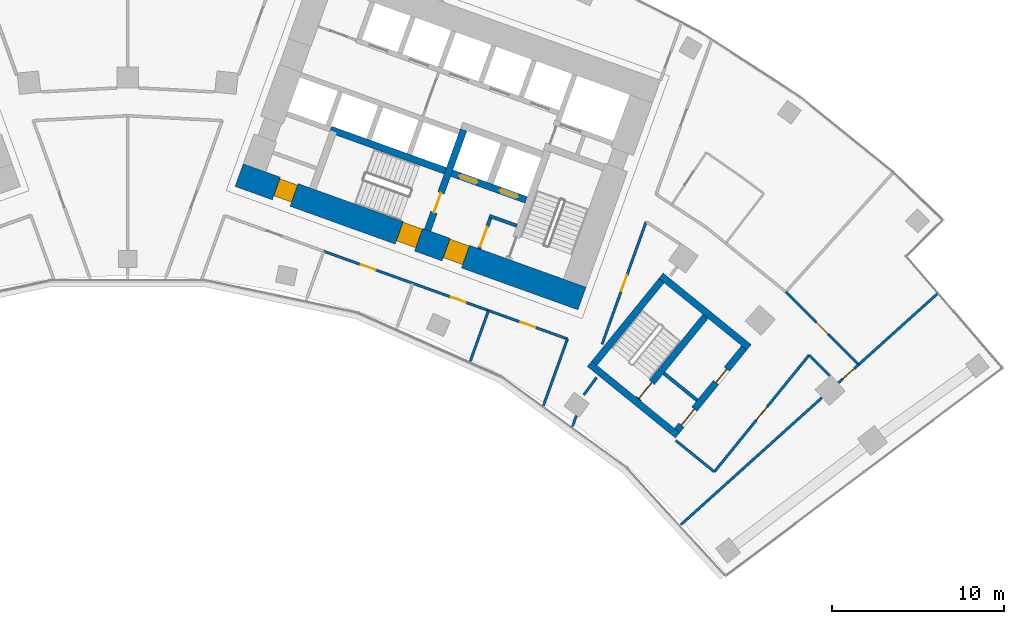
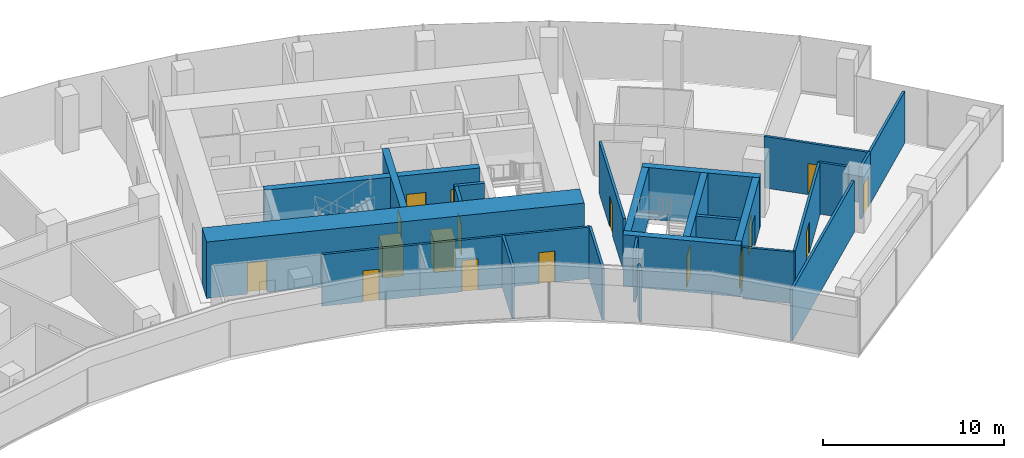
# One storey, part 16 of 20: 26 walls, 17 doors, 17 openings.
"""IFC4 building model written with IfcOpenShell, lengths in metres."""

from ifc_helpers import new_model, si_unit, direction, frame, frame_2d, origin, place, context, subcontext, project, spatial, rectangle, extrude, material, layer, layer_set, type_object, element, fill, save


model = new_model("IFC4")

# Units and contexts
model_context = context("Model", 3, precision=1e-05, world=origin(), true_north=direction((0.0, 1.0)))
body_context = subcontext(model_context, "Body", "Model", "MODEL_VIEW")
ifc_project = project(units=[si_unit("LENGTHUNIT", "METRE"), si_unit("AREAUNIT", "SQUARE_METRE"), si_unit("VOLUMEUNIT", "CUBIC_METRE"), si_unit("PLANEANGLEUNIT", "RADIAN"), si_unit("MASSUNIT", "GRAM", prefix="KILO")], contexts=[model_context])

# Site, building, storey
site_placement = place(None, origin())
site = spatial("IfcSite", under=ifc_project, at=site_placement, CompositionType="ELEMENT")
building_placement = place(site_placement, origin())
building = spatial("IfcBuilding", under=site, at=building_placement, Name="Stone Belt Terrace Tower", CompositionType="ELEMENT")
storey_placement = place(building_placement, frame((0.0, 0.0, 147.800048828125)))
storey = spatial("IfcBuildingStorey", under=building, at=storey_placement, Name="L35", CompositionType="ELEMENT", Elevation=147.800048828125)

# Wall, openings, doors
ifc_material_1 = material(Name="Concrete B80", Category="concrete")
ifc_layer_1 = layer(ifc_material_1, 1.39990234375)
ifc_layer_set_1 = layer_set([ifc_layer_1], Name="Core wall 1400 B80")
wall_type_1 = type_object("IfcWallType", Name="Core wall 1400 B80", PredefinedType="SHEAR", material=ifc_layer_set_1)
wall_1_placement = place(storey_placement, frame((6.4833984375, 49.318115234375, 0.0), z_axis=(0.0, 0.0, 1.0), x_axis=(0.940923374003, -0.33861955681, 0.0)))
wall_1 = element("IfcWall", 1, at=wall_1_placement, inside=storey, type_object=wall_type_1, Name="Core B wall concave L35", PredefinedType="SHEAR", context=body_context, shape_type="SweptSolid", body=[
    extrude(rectangle(XDim=21.199951171875, YDim=1.39990234375, at=frame_2d((10.60009765625, 0.0))), origin(), (0.0, 0.0, 1.0), 3.800048828125),
])
opening_1_placement = place(wall_1_placement, frame((12.800048828125, 0.0, 0.0)))
opening_1 = element("IfcOpeningElement", 2, at=opening_1_placement, cuts=wall_1, Name="Opening L35-C20", PredefinedType="OPENING", context=body_context, shape_type="SweptSolid", body=[
    extrude(rectangle(XDim=1.199951171875, YDim=2.10009765625, at=frame_2d((0.60009765625, 1.050048828125))), frame((0.0, 0.7099609375, 0.0), z_axis=(0.0, -1.0, 0.0), x_axis=(1.0, 0.0, 0.0)), (0.0, 0.0, 1.0), 1.419921875),
])
opening_2_placement = place(wall_1_placement, frame((9.89990234375, 0.0, 0.0)))
opening_2 = element("IfcOpeningElement", 3, at=opening_2_placement, cuts=wall_1, Name="Opening L35-C22", PredefinedType="OPENING", context=body_context, shape_type="SweptSolid", body=[
    extrude(rectangle(XDim=1.199951171875, YDim=2.10009765625, at=frame_2d((0.60009765625, 1.050048828125))), frame((0.0, 0.7099609375, 0.0), z_axis=(0.0, -1.0, 0.0), x_axis=(1.0, 0.0, 0.0)), (0.0, 0.0, 1.0), 1.419921875),
])
opening_3_placement = place(wall_1_placement, frame((2.300048828125, 0.0, 0.0)))
opening_3 = element("IfcOpeningElement", 4, at=opening_3_placement, cuts=wall_1, Name="Opening L35-C24", PredefinedType="OPENING", context=body_context, shape_type="SweptSolid", body=[
    extrude(rectangle(XDim=1.10009765625, YDim=2.10009765625, at=frame_2d((0.550048828125, 1.050048828125))), frame((0.0, 0.7099609375, 0.0), z_axis=(0.0, -1.0, 0.0), x_axis=(1.0, 0.0, 0.0)), (0.0, 0.0, 1.0), 1.419921875),
])
ifc_material_2 = material(Name="Timber door leaf", Category="wood")
door_type_1 = type_object("IfcDoorType", Name="Core room door 1100", OperationType="SINGLE_SWING_LEFT", PredefinedType="DOOR", material=ifc_material_2)
door_1_placement = place(opening_3_placement, origin())
door_1 = element("IfcDoor", 5, at=door_1_placement, inside=storey, type_object=door_type_1, Name="Door to Pipe riser core B", OperationType="SINGLE_SWING_RIGHT", OverallHeight=2.10009765625, OverallWidth=1.10009765625, PredefinedType="DOOR", context=body_context, shape_type="SweptSolid", body=[
    extrude(rectangle(XDim=1.10009765625, YDim=2.10009765625, at=frame_2d((0.550048828125, 1.050048828125))), frame((0.0, 0.60498046875, 0.0), z_axis=(0.0, -1.0, 0.0), x_axis=(1.0, 0.0, 0.0)), (0.0, 0.0, 1.0), 1.050048828125),
])
fill(opening_3, door_1)
ifc_material_3 = material(Name="Steel door leaf", Category="steel")
door_type_2 = type_object("IfcDoorType", Name="Fire-fighting lobby door 1200", OperationType="SINGLE_SWING_LEFT", PredefinedType="DOOR", material=ifc_material_3)
door_2_placement = place(opening_1_placement, origin())
door_2 = element("IfcDoor", 6, at=door_2_placement, inside=storey, type_object=door_type_2, Name="Fire-fighting lobby door core B", OperationType="SINGLE_SWING_RIGHT", OverallHeight=2.10009765625, OverallWidth=1.199951171875, PredefinedType="DOOR", context=body_context, shape_type="SweptSolid", body=[
    extrude(rectangle(XDim=1.199951171875, YDim=2.10009765625, at=frame_2d((0.60009765625, 1.050048828125))), frame((0.0, 0.655029296875, 0.0), z_axis=(0.0, -1.0, 0.0), x_axis=(1.0, 0.0, 0.0)), (0.0, 0.0, 1.0), 1.14990234375),
])
fill(opening_1, door_2)
door_type_3 = type_object("IfcDoorType", Name="Stair door 1200", OperationType="SINGLE_SWING_LEFT", PredefinedType="DOOR", material=ifc_material_3)
door_3_placement = place(opening_2_placement, origin())
door_3 = element("IfcDoor", 7, at=door_3_placement, inside=storey, type_object=door_type_3, Name="Stair 2 exit door core B", OperationType="SINGLE_SWING_LEFT", OverallHeight=2.10009765625, OverallWidth=1.199951171875, PredefinedType="DOOR", context=body_context, shape_type="SweptSolid", body=[
    extrude(rectangle(XDim=1.199951171875, YDim=2.10009765625, at=frame_2d((0.60009765625, 1.050048828125))), frame((0.0, 0.655029296875, 0.0), z_axis=(0.0, -1.0, 0.0), x_axis=(1.0, 0.0, 0.0)), (0.0, 0.0, 1.0), 1.14990234375),
])
fill(opening_2, door_3)

# Wall
ifc_material_4 = material(Name="Gypsum board partition")
ifc_layer_2 = layer(ifc_material_4, 0.14990234375)
ifc_layer_set_2 = layer_set([ifc_layer_2], Name="PARTITION 150 EI 60")
wall_type_2 = type_object("IfcWallType", Name="PARTITION 150 EI 60", PredefinedType="PARTITIONING", material=ifc_layer_set_2)
wall_2_placement = place(storey_placement, frame((24.18603515625, 35.902099609375, 0.0), z_axis=(0.0, 0.0, 1.0), x_axis=(0.338545933013, 0.940949866486, 0.0)))
element("IfcWall", 8, at=wall_2_placement, inside=storey, type_object=wall_type_2, Name="L35/wall/i026", PredefinedType="PARTITIONING", context=body_context, shape_type="SweptSolid", body=[
    extrude(rectangle(XDim=4.135009765625, YDim=0.14990234375, at=frame_2d((2.0673828125, 0.0))), origin(), (0.0, 0.0, 1.0), 3.47998046875),
])

# Wall, opening, door
wall_3_placement = place(storey_placement, frame((30.1669921875, 46.612060546875, 0.0), z_axis=(0.0, 0.0, 1.0), x_axis=(-0.338694393991, -0.940896438233, 0.0)))
wall_3 = element("IfcWall", 9, at=wall_3_placement, inside=storey, type_object=wall_type_2, Name="L35/wall/i028", PredefinedType="PARTITIONING", context=body_context, shape_type="SweptSolid", body=[
    extrude(rectangle(XDim=7.585205078125, YDim=0.14990234375, at=frame_2d((3.79248046875, 0.0))), origin(), (0.0, 0.0, 1.0), 3.47998046875),
])
opening_4_placement = place(wall_3_placement, frame((3.292724609375, 0.0, 0.0)))
opening_4 = element("IfcOpeningElement", 10, at=opening_4_placement, cuts=wall_3, Name="Opening D-C1-21", PredefinedType="OPENING", context=body_context, shape_type="SweptSolid", body=[
    extrude(rectangle(XDim=1.0, YDim=2.10009765625, at=frame_2d((0.5, 1.050048828125))), frame((0.0, 0.0849609375, 0.0), z_axis=(0.0, -1.0, 0.0), x_axis=(1.0, 0.0, 0.0)), (0.0, 0.0, 1.0), 0.169921875),
])
ifc_material_5 = material(Name="Timber fire door leaf", Category="wood")
door_type_4 = type_object("IfcDoorType", Name="TENANCY ENTRANCE DOOR 1000 X 2100", OperationType="NOTDEFINED", PredefinedType="DOOR", material=ifc_material_5)
door_4_placement = place(opening_4_placement, origin())
door_4 = element("IfcDoor", 11, at=door_4_placement, inside=storey, type_object=door_type_4, Name="L35/door/i21", OperationType="SINGLE_SWING_RIGHT", OverallHeight=2.10009765625, OverallWidth=1.0, PredefinedType="DOOR", context=body_context, shape_type="SweptSolid", body=[
    extrude(rectangle(XDim=1.0, YDim=2.10009765625, at=frame_2d((0.5, 1.050048828125))), frame((0.0, 0.02490234375, 0.0), z_axis=(0.0, -1.0, 0.0), x_axis=(1.0, 0.0, 0.0)), (0.0, 0.0, 1.0), 0.050048828125),
])
fill(opening_4, door_4)

# Walls
wall_4_placement = place(storey_placement, frame((27.282958984375, 37.552001953125, 0.0), z_axis=(0.0, 0.0, 1.0), x_axis=(-0.587851817093, -0.808968628032, 0.0)))
element("IfcWall", 12, at=wall_4_placement, inside=storey, type_object=wall_type_2, Name="L35/wall/i029", PredefinedType="PARTITIONING", context=body_context, shape_type="SweptSolid", body=[
    extrude(rectangle(XDim=1.270751953125, YDim=0.14990234375, at=frame_2d((0.63525390625, 0.0))), origin(), (0.0, 0.0, 1.0), 3.47998046875),
])
wall_5_placement = place(storey_placement, frame((26.101318359375, 35.318115234375, 0.0), z_axis=(0.0, 0.0, 1.0), x_axis=(-0.339176971689, -0.940722584972, 0.0)))
element("IfcWall", 13, at=wall_5_placement, inside=storey, type_object=wall_type_2, Name="L35/wall/i030", PredefinedType="PARTITIONING", context=body_context, shape_type="SweptSolid", body=[
    extrude(rectangle(XDim=0.68017578125, YDim=0.14990234375, at=frame_2d((0.340087890625, 0.0))), origin(), (0.0, 0.0, 1.0), 3.47998046875),
])

# Wall, opening, door
wall_6_placement = place(storey_placement, frame((16.596923828125, 43.02197265625, 0.0), z_axis=(0.0, 0.0, 1.0), x_axis=(-0.940944898778, 0.338559739874, 0.0)))
wall_6 = element("IfcWall", 14, at=wall_6_placement, inside=storey, type_object=wall_type_2, Name="L35/wall/i033", PredefinedType="PARTITIONING", context=body_context, shape_type="SweptSolid", body=[
    extrude(rectangle(XDim=5.520751953125, YDim=0.14990234375, at=frame_2d((2.76025390625, 0.0))), origin(), (0.0, 0.0, 1.0), 3.47998046875),
])
opening_5_placement = place(wall_6_placement, frame((2.310546875, 0.0, 0.0)))
opening_5 = element("IfcOpeningElement", 15, at=opening_5_placement, cuts=wall_6, Name="Opening D-C1-08", PredefinedType="OPENING", context=body_context, shape_type="SweptSolid", body=[
    extrude(rectangle(XDim=0.89990234375, YDim=2.10009765625, at=frame_2d((0.449951171875, 1.050048828125))), frame((0.0, 0.0849609375, 0.0), z_axis=(0.0, -1.0, 0.0), x_axis=(1.0, 0.0, 0.0)), (0.0, 0.0, 1.0), 0.169921875),
])
door_type_5 = type_object("IfcDoorType", Name="OFFICE DOOR 900 X 2100", OperationType="NOTDEFINED", PredefinedType="DOOR", material=ifc_material_2)
door_5_placement = place(opening_5_placement, origin())
door_5 = element("IfcDoor", 16, at=door_5_placement, inside=storey, type_object=door_type_5, Name="L35/door/i08", OperationType="SINGLE_SWING_RIGHT", OverallHeight=2.10009765625, OverallWidth=0.89990234375, PredefinedType="DOOR", context=body_context, shape_type="SweptSolid", body=[
    extrude(rectangle(XDim=0.89990234375, YDim=2.10009765625, at=frame_2d((0.449951171875, 1.050048828125))), frame((0.0, 0.02490234375, 0.0), z_axis=(0.0, -1.0, 0.0), x_axis=(1.0, 0.0, 0.0)), (0.0, 0.0, 1.0), 0.050048828125),
])
fill(opening_5, door_5)

wall_7_placement = place(storey_placement, frame((20.9970703125, 41.43798828125, 0.0), z_axis=(0.0, 0.0, 1.0), x_axis=(-0.940919266197, 0.338630970969, 0.0)))
wall_7 = element("IfcWall", 17, at=wall_7_placement, inside=storey, type_object=wall_type_2, Name="L35/wall/i034", PredefinedType="PARTITIONING", context=body_context, shape_type="SweptSolid", body=[
    extrude(rectangle(XDim=4.689208984375, YDim=0.14990234375, at=frame_2d((2.3447265625, 0.0))), origin(), (0.0, 0.0, 1.0), 3.47998046875),
])
opening_6_placement = place(wall_7_placement, frame((1.416259765625, 0.0, 0.0)))
opening_6 = element("IfcOpeningElement", 18, at=opening_6_placement, cuts=wall_7, Name="Opening D-C1-09", PredefinedType="OPENING", context=body_context, shape_type="SweptSolid", body=[
    extrude(rectangle(XDim=0.89990234375, YDim=2.10009765625, at=frame_2d((0.449951171875, 1.050048828125))), frame((0.0, 0.0849609375, 0.0), z_axis=(0.0, -1.0, 0.0), x_axis=(1.0, 0.0, 0.0)), (0.0, 0.0, 1.0), 0.169921875),
])
door_6_placement = place(opening_6_placement, origin())
door_6 = element("IfcDoor", 19, at=door_6_placement, inside=storey, type_object=door_type_5, Name="L35/door/i09", OperationType="SINGLE_SWING_LEFT", OverallHeight=2.10009765625, OverallWidth=0.89990234375, PredefinedType="DOOR", context=body_context, shape_type="SweptSolid", body=[
    extrude(rectangle(XDim=0.89990234375, YDim=2.10009765625, at=frame_2d((0.449951171875, 1.050048828125))), frame((0.0, 0.02490234375, 0.0), z_axis=(0.0, -1.0, 0.0), x_axis=(1.0, 0.0, 0.0)), (0.0, 0.0, 1.0), 0.050048828125),
])
fill(opening_6, door_6)

wall_8_placement = place(storey_placement, frame((25.583984375, 39.787109375, 0.0), z_axis=(0.0, 0.0, 1.0), x_axis=(-0.940940252997, 0.338572651421, 0.0)))
wall_8 = element("IfcWall", 20, at=wall_8_placement, inside=storey, type_object=wall_type_2, Name="L35/wall/i035", PredefinedType="PARTITIONING", context=body_context, shape_type="SweptSolid", body=[
    extrude(rectangle(XDim=4.887451171875, YDim=0.14990234375, at=frame_2d((2.44384765625, 0.0))), origin(), (0.0, 0.0, 1.0), 3.47998046875),
])
opening_7_placement = place(wall_8_placement, frame((1.993896484375, 0.0, 0.0)))
opening_7 = element("IfcOpeningElement", 21, at=opening_7_placement, cuts=wall_8, Name="Opening D-C1-10", PredefinedType="OPENING", context=body_context, shape_type="SweptSolid", body=[
    extrude(rectangle(XDim=0.89990234375, YDim=2.10009765625, at=frame_2d((0.449951171875, 1.050048828125))), frame((0.0, 0.0849609375, 0.0), z_axis=(0.0, -1.0, 0.0), x_axis=(1.0, 0.0, 0.0)), (0.0, 0.0, 1.0), 0.169921875),
])
door_7_placement = place(opening_7_placement, origin())
door_7 = element("IfcDoor", 22, at=door_7_placement, inside=storey, type_object=door_type_5, Name="L35/door/i10", OperationType="SINGLE_SWING_RIGHT", OverallHeight=2.10009765625, OverallWidth=0.89990234375, PredefinedType="DOOR", context=body_context, shape_type="SweptSolid", body=[
    extrude(rectangle(XDim=0.89990234375, YDim=2.10009765625, at=frame_2d((0.449951171875, 1.050048828125))), frame((0.0, 0.02490234375, 0.0), z_axis=(0.0, -1.0, 0.0), x_axis=(1.0, 0.0, 0.0)), (0.0, 0.0, 1.0), 0.050048828125),
])
fill(opening_7, door_7)

# Wall
wall_9_placement = place(storey_placement, frame((20.990966796875, 41.43994140625, 0.0), z_axis=(0.0, 0.0, 1.0), x_axis=(-0.338634168546, -0.940918115403, 0.0)))
element("IfcWall", 23, at=wall_9_placement, inside=storey, type_object=wall_type_2, Name="L35/wall/i038", PredefinedType="PARTITIONING", context=body_context, shape_type="SweptSolid", body=[
    extrude(rectangle(XDim=3.141845703125, YDim=0.14990234375, at=frame_2d((1.57080078125, 0.0))), origin(), (0.0, 0.0, 1.0), 3.47998046875),
])

# Wall, opening, door
wall_10_placement = place(storey_placement, frame((42.530029296875, 38.294921875, 0.0), z_axis=(0.0, 0.0, 1.0), x_axis=(-0.742885543222, -0.669418456327, 0.0)))
wall_10 = element("IfcWall", 24, at=wall_10_placement, inside=storey, type_object=wall_type_2, Name="L35/wall/i062", PredefinedType="PARTITIONING", context=body_context, shape_type="SweptSolid", body=[
    extrude(rectangle(XDim=1.5751953125, YDim=0.14990234375, at=frame_2d((0.78759765625, 0.0))), origin(), (0.0, 0.0, 1.0), 3.47998046875),
])
opening_8_placement = place(wall_10_placement, frame((0.337646484375, 0.0, 0.0)))
opening_8 = element("IfcOpeningElement", 25, at=opening_8_placement, cuts=wall_10, Name="Opening D-C1-20", PredefinedType="OPENING", context=body_context, shape_type="SweptSolid", body=[
    extrude(rectangle(XDim=0.89990234375, YDim=2.10009765625, at=frame_2d((0.449951171875, 1.050048828125))), frame((0.0, 0.0849609375, 0.0), z_axis=(0.0, -1.0, 0.0), x_axis=(1.0, 0.0, 0.0)), (0.0, 0.0, 1.0), 0.169921875),
])
door_type_6 = type_object("IfcDoorType", Name="TENANCY ENTRANCE DOOR 900 X 2100", OperationType="NOTDEFINED", PredefinedType="DOOR", material=ifc_material_5)
door_8_placement = place(opening_8_placement, origin())
door_8 = element("IfcDoor", 26, at=door_8_placement, inside=storey, type_object=door_type_6, Name="L35/door/i20", OperationType="SINGLE_SWING_RIGHT", OverallHeight=2.10009765625, OverallWidth=0.89990234375, PredefinedType="DOOR", context=body_context, shape_type="SweptSolid", body=[
    extrude(rectangle(XDim=0.89990234375, YDim=2.10009765625, at=frame_2d((0.449951171875, 1.050048828125))), frame((0.0, 0.02490234375, 0.0), z_axis=(0.0, -1.0, 0.0), x_axis=(1.0, 0.0, 0.0)), (0.0, 0.0, 1.0), 0.050048828125),
])
fill(opening_8, door_8)

# Walls
wall_11_placement = place(storey_placement, frame((32.17529296875, 28.970947265625, 0.0), z_axis=(0.0, 0.0, 1.0), x_axis=(0.743128216334, 0.669149052221, 0.0)))
element("IfcWall", 27, at=wall_11_placement, inside=storey, type_object=wall_type_2, Name="L35/wall/i063", PredefinedType="PARTITIONING", context=body_context, shape_type="SweptSolid", body=[
    extrude(rectangle(XDim=11.048828125, YDim=0.14990234375, at=frame_2d((5.5244140625, 0.0))), origin(), (0.0, 0.0, 1.0), 3.47998046875),
])
wall_12_placement = place(storey_placement, frame((42.52197265625, 38.287109375, 0.0), z_axis=(0.0, 0.0, 1.0), x_axis=(0.743096733758, 0.669184013765, 0.0)))
element("IfcWall", 28, at=wall_12_placement, inside=storey, type_object=wall_type_2, Name="L35/wall/i064", PredefinedType="PARTITIONING", context=body_context, shape_type="SweptSolid", body=[
    extrude(rectangle(XDim=6.150390625, YDim=0.14990234375, at=frame_2d((3.0751953125, 0.0))), origin(), (0.0, 0.0, 1.0), 3.47998046875),
])
wall_13_placement = place(storey_placement, frame((40.83642578125, 37.650634765625, 0.0), z_axis=(0.0, 0.0, 1.0), x_axis=(-0.707178865062, 0.707034689962, 0.0)))
element("IfcWall", 29, at=wall_13_placement, inside=storey, type_object=wall_type_2, Name="L35/wall/i067", PredefinedType="PARTITIONING", context=body_context, shape_type="SweptSolid", body=[
    extrude(rectangle(XDim=1.693359375, YDim=0.14990234375, at=frame_2d((0.8466796875, 0.0))), origin(), (0.0, 0.0, 1.0), 3.47998046875),
])

# Wall, opening, door
wall_14_placement = place(storey_placement, frame((38.291015625, 42.52587890625, 0.0), z_axis=(0.0, 0.0, 1.0), x_axis=(0.707106781187, -0.707106781187, 0.0)))
wall_14 = element("IfcWall", 30, at=wall_14_placement, inside=storey, type_object=wall_type_2, Name="L35/wall/i072", PredefinedType="PARTITIONING", context=body_context, shape_type="SweptSolid", body=[
    extrude(rectangle(XDim=5.989013671875, YDim=0.14990234375, at=frame_2d((2.99462890625, 0.0))), origin(), (0.0, 0.0, 1.0), 3.47998046875),
])
opening_9_placement = place(wall_14_placement, frame((2.49462890625, 0.0, 0.0)))
opening_9 = element("IfcOpeningElement", 31, at=opening_9_placement, cuts=wall_14, Name="Opening D-C1-25", PredefinedType="OPENING", context=body_context, shape_type="SweptSolid", body=[
    extrude(rectangle(XDim=1.0, YDim=2.10009765625, at=frame_2d((0.5, 1.050048828125))), frame((0.0, 0.0849609375, 0.0), z_axis=(0.0, -1.0, 0.0), x_axis=(1.0, 0.0, 0.0)), (0.0, 0.0, 1.0), 0.169921875),
])
door_9_placement = place(opening_9_placement, origin())
door_9 = element("IfcDoor", 32, at=door_9_placement, inside=storey, type_object=door_type_4, Name="L35/door/i25", OperationType="SINGLE_SWING_RIGHT", OverallHeight=2.10009765625, OverallWidth=1.0, PredefinedType="DOOR", context=body_context, shape_type="SweptSolid", body=[
    extrude(rectangle(XDim=1.0, YDim=2.10009765625, at=frame_2d((0.5, 1.050048828125))), frame((0.0, 0.02490234375, 0.0), z_axis=(0.0, -1.0, 0.0), x_axis=(1.0, 0.0, 0.0)), (0.0, 0.0, 1.0), 0.050048828125),
])
fill(opening_9, door_9)

wall_15_placement = place(storey_placement, frame((34.133056640625, 32.055908203125, 0.0), z_axis=(0.0, 0.0, 1.0), x_axis=(0.630226712005, 0.776411161354, 0.0)))
wall_15 = element("IfcWall", 33, at=wall_15_placement, inside=storey, type_object=wall_type_2, Name="L35/wall/i073", PredefinedType="PARTITIONING", context=body_context, shape_type="SweptSolid", body=[
    extrude(rectangle(XDim=8.742919921875, YDim=0.14990234375, at=frame_2d((4.37158203125, 0.0))), origin(), (0.0, 0.0, 1.0), 3.47998046875),
])
opening_10_placement = place(wall_15_placement, frame((3.871337890625, 0.0, 0.0)))
opening_10 = element("IfcOpeningElement", 34, at=opening_10_placement, cuts=wall_15, Name="Opening D-C1-22", PredefinedType="OPENING", context=body_context, shape_type="SweptSolid", body=[
    extrude(rectangle(XDim=1.0, YDim=2.10009765625, at=frame_2d((0.5, 1.050048828125))), frame((0.0, 0.0849609375, 0.0), z_axis=(0.0, -1.0, 0.0), x_axis=(1.0, 0.0, 0.0)), (0.0, 0.0, 1.0), 0.169921875),
])
door_10_placement = place(opening_10_placement, origin())
door_10 = element("IfcDoor", 35, at=door_10_placement, inside=storey, type_object=door_type_4, Name="L35/door/i22", OperationType="SINGLE_SWING_RIGHT", OverallHeight=2.10009765625, OverallWidth=1.0, PredefinedType="DOOR", context=body_context, shape_type="SweptSolid", body=[
    extrude(rectangle(XDim=1.0, YDim=2.10009765625, at=frame_2d((0.5, 1.050048828125))), frame((0.0, 0.02490234375, 0.0), z_axis=(0.0, -1.0, 0.0), x_axis=(1.0, 0.0, 0.0)), (0.0, 0.0, 1.0), 0.050048828125),
])
fill(opening_10, door_10)

# Walls
wall_16_placement = place(storey_placement, frame((34.133056640625, 32.055908203125, 0.0), z_axis=(0.0, 0.0, 1.0), x_axis=(-0.776369956068, 0.630277471686, 0.0)))
element("IfcWall", 36, at=wall_16_placement, inside=storey, type_object=wall_type_2, Name="L35/wall/i074", PredefinedType="PARTITIONING", context=body_context, shape_type="SweptSolid", body=[
    extrude(rectangle(XDim=2.8876953125, YDim=0.14990234375, at=frame_2d((1.44384765625, 0.0))), origin(), (0.0, 0.0, 1.0), 3.47998046875),
])
ifc_material_6 = material(Name="Concrete masonry block", Category="masonry")
ifc_layer_3 = layer(ifc_material_6, 0.199951171875)
ifc_layer_set_3 = layer_set([ifc_layer_3], Name="Rated lobby wall 200")
wall_type_3 = type_object("IfcWallType", Name="Rated lobby wall 200", PredefinedType="PARTITIONING", material=ifc_layer_set_3)
wall_17_placement = place(storey_placement, frame((22.640625, 46.373046875, 0.0), z_axis=(0.0, 0.0, 1.0), x_axis=(-0.940966110313, 0.338500781747, 0.0)))
element("IfcWall", 37, at=wall_17_placement, inside=storey, type_object=wall_type_3, Name="Core B wall", PredefinedType="PARTITIONING", context=body_context, shape_type="SweptSolid", body=[
    extrude(rectangle(XDim=1.699951171875, YDim=0.199951171875, at=frame_2d((0.85009765625, 0.0))), origin(), (0.0, 0.0, 1.0), 3.47998046875),
])

# Wall, opening, door
wall_18_placement = place(storey_placement, frame((20.4580078125, 45.032958984375, 0.0), z_axis=(0.0, 0.0, 1.0), x_axis=(0.338573865316, 0.940939816208, 0.0)))
wall_18 = element("IfcWall", 38, at=wall_18_placement, inside=storey, type_object=wall_type_3, Name="Core B wall", PredefinedType="PARTITIONING", context=body_context, shape_type="SweptSolid", body=[
    extrude(rectangle(XDim=1.900146484375, YDim=0.199951171875, at=frame_2d((0.9501953125, 0.0))), origin(), (0.0, 0.0, 1.0), 3.47998046875),
])
opening_11_placement = place(wall_18_placement, frame((0.14990234375, 0.0, 0.0)))
opening_11 = element("IfcOpeningElement", 39, at=opening_11_placement, cuts=wall_18, Name="Opening L35-C19", PredefinedType="OPENING", context=body_context, shape_type="SweptSolid", body=[
    extrude(rectangle(XDim=1.199951171875, YDim=2.10009765625, at=frame_2d((0.60009765625, 1.050048828125))), frame((0.0, 0.10986328125, 0.0), z_axis=(0.0, -1.0, 0.0), x_axis=(1.0, 0.0, 0.0)), (0.0, 0.0, 1.0), 0.219970703125),
])
door_11_placement = place(opening_11_placement, origin())
door_11 = element("IfcDoor", 40, at=door_11_placement, inside=storey, type_object=door_type_3, Name="Stair airlock door core B", OperationType="SINGLE_SWING_RIGHT", OverallHeight=2.10009765625, OverallWidth=1.199951171875, PredefinedType="DOOR", context=body_context, shape_type="SweptSolid", body=[
    extrude(rectangle(XDim=1.199951171875, YDim=2.10009765625, at=frame_2d((0.60009765625, 1.050048828125))), frame((0.0, 0.02490234375, 0.0), z_axis=(0.0, -1.0, 0.0), x_axis=(1.0, 0.0, 0.0)), (0.0, 0.0, 1.0), 0.050048828125),
])
fill(opening_11, door_11)

# Wall
wall_19_placement = place(storey_placement, frame((31.190673828125, 37.79296875, 0.0), z_axis=(0.0, 0.0, 1.0), x_axis=(0.776370830301, -0.630276394813, 0.0)))
element("IfcWall", 41, at=wall_19_placement, inside=storey, type_object=wall_type_3, Name="Exit stair ST3B wall", PredefinedType="PARTITIONING", context=body_context, shape_type="SweptSolid", body=[
    extrude(rectangle(XDim=2.5, YDim=0.199951171875, at=frame_2d((1.25, 0.0))), origin(), (0.0, 0.0, 1.0), 3.47998046875),
])

# Wall, openings, doors
ifc_layer_4 = layer(ifc_material_1, 0.39990234375)
ifc_layer_set_4 = layer_set([ifc_layer_4], Name="Stair enclosure wall 400")
wall_type_4 = type_object("IfcWallType", Name="Stair enclosure wall 400", PredefinedType="SHEAR", material=ifc_layer_set_4)
wall_20_placement = place(storey_placement, frame((23.182373046875, 47.87841796875, 0.0), z_axis=(0.0, 0.0, 1.0), x_axis=(-0.940921101762, 0.338625870628, 0.0)))
wall_20 = element("IfcWall", 42, at=wall_20_placement, inside=storey, type_object=wall_type_4, Name="Core B wall", PredefinedType="SHEAR", context=body_context, shape_type="SweptSolid", body=[
    extrude(rectangle(XDim=12.10009765625, YDim=0.39990234375, at=frame_2d((6.050048828125, 0.0))), origin(), (0.0, 0.0, 1.0), 3.47998046875),
])
opening_12_placement = place(wall_20_placement, frame((0.52001953125, 0.0, 0.0)))
opening_12 = element("IfcOpeningElement", 43, at=opening_12_placement, cuts=wall_20, Name="Opening L35-LD14", PredefinedType="OPENING", context=body_context, shape_type="SweptSolid", body=[
    extrude(rectangle(XDim=1.10009765625, YDim=2.199951171875, at=frame_2d((0.550048828125, 1.10009765625))), frame((0.0, 0.2099609375, 0.0), z_axis=(0.0, -1.0, 0.0), x_axis=(1.0, 0.0, 0.0)), (0.0, 0.0, 1.0), 0.419921875),
])
opening_13_placement = place(wall_20_placement, frame((3.02001953125, 0.0, 0.0)))
opening_13 = element("IfcOpeningElement", 44, at=opening_13_placement, cuts=wall_20, Name="Opening L35-LD15", PredefinedType="OPENING", context=body_context, shape_type="SweptSolid", body=[
    extrude(rectangle(XDim=1.10009765625, YDim=2.199951171875, at=frame_2d((0.550048828125, 1.10009765625))), frame((0.0, 0.2099609375, 0.0), z_axis=(0.0, -1.0, 0.0), x_axis=(1.0, 0.0, 0.0)), (0.0, 0.0, 1.0), 0.419921875),
])
ifc_material_7 = material(Name="Stainless steel door leaf", Category="steel")
door_type_7 = type_object("IfcDoorType", Name="Landing door 1100", OperationType="SLIDING_TO_LEFT", PredefinedType="DOOR", material=ifc_material_7)
door_12_placement = place(opening_12_placement, origin())
door_12 = element("IfcDoor", 45, at=door_12_placement, inside=storey, type_object=door_type_7, Name="Landing door FF1 core B", OperationType="SLIDING_TO_LEFT", OverallHeight=2.199951171875, OverallWidth=1.10009765625, PredefinedType="DOOR", context=body_context, shape_type="SweptSolid", body=[
    extrude(rectangle(XDim=1.10009765625, YDim=2.199951171875, at=frame_2d((0.550048828125, 1.10009765625))), frame((0.0, 0.02490234375, 0.0), z_axis=(0.0, -1.0, 0.0), x_axis=(1.0, 0.0, 0.0)), (0.0, 0.0, 1.0), 0.050048828125),
])
fill(opening_12, door_12)
door_13_placement = place(opening_13_placement, origin())
door_13 = element("IfcDoor", 46, at=door_13_placement, inside=storey, type_object=door_type_7, Name="Landing door FF2 core B", OperationType="SLIDING_TO_LEFT", OverallHeight=2.199951171875, OverallWidth=1.10009765625, PredefinedType="DOOR", context=body_context, shape_type="SweptSolid", body=[
    extrude(rectangle(XDim=1.10009765625, YDim=2.199951171875, at=frame_2d((0.550048828125, 1.10009765625))), frame((0.0, 0.02490234375, 0.0), z_axis=(0.0, -1.0, 0.0), x_axis=(1.0, 0.0, 0.0)), (0.0, 0.0, 1.0), 0.050048828125),
])
fill(opening_13, door_13)

# Wall, opening, door
wall_21_placement = place(storey_placement, frame((17.447021484375, 46.116455078125, 0.0), z_axis=(0.0, 0.0, 1.0), x_axis=(0.33860791464, 0.940927563707, 0.0)))
wall_21 = element("IfcWall", 47, at=wall_21_placement, inside=storey, type_object=wall_type_4, Name="Core B wall", PredefinedType="SHEAR", context=body_context, shape_type="SweptSolid", body=[
    extrude(rectangle(XDim=6.199951171875, YDim=0.39990234375, at=frame_2d((3.10009765625, 0.0))), origin(), (0.0, 0.0, 1.0), 3.47998046875),
])
opening_14_placement = place(wall_21_placement, frame((1.10009765625, 0.0, 0.0)))
opening_14 = element("IfcOpeningElement", 48, at=opening_14_placement, cuts=wall_21, Name="Opening L35-C21", PredefinedType="OPENING", context=body_context, shape_type="SweptSolid", body=[
    extrude(rectangle(XDim=1.199951171875, YDim=2.10009765625, at=frame_2d((0.60009765625, 1.050048828125))), frame((0.0, 0.2099609375, 0.0), z_axis=(0.0, -1.0, 0.0), x_axis=(1.0, 0.0, 0.0)), (0.0, 0.0, 1.0), 0.419921875),
])
door_14_placement = place(opening_14_placement, origin())
door_14 = element("IfcDoor", 49, at=door_14_placement, inside=storey, type_object=door_type_3, Name="Stair 2 door core B", OperationType="SINGLE_SWING_RIGHT", OverallHeight=2.10009765625, OverallWidth=1.199951171875, PredefinedType="DOOR", context=body_context, shape_type="SweptSolid", body=[
    extrude(rectangle(XDim=1.199951171875, YDim=2.10009765625, at=frame_2d((0.60009765625, 1.050048828125))), frame((0.0, 0.02490234375, 0.0), z_axis=(0.0, -1.0, 0.0), x_axis=(1.0, 0.0, 0.0)), (0.0, 0.0, 1.0), 0.050048828125),
])
fill(opening_14, door_14)

# Walls
wall_22_placement = place(storey_placement, frame((26.868408203125, 38.3388671875, 0.0), z_axis=(0.0, 0.0, 1.0), x_axis=(0.776428452498, -0.630205409491, 0.0)))
element("IfcWall", 50, at=wall_22_placement, inside=storey, type_object=wall_type_4, Name="Exit stair ST3B wall", PredefinedType="SHEAR", context=body_context, shape_type="SweptSolid", body=[
    extrude(rectangle(XDim=6.60009765625, YDim=0.39990234375, at=frame_2d((3.300048828125, 0.0))), origin(), (0.0, 0.0, 1.0), 3.47998046875),
])
wall_23_placement = place(storey_placement, frame((31.02783203125, 43.46337890625, 0.0), z_axis=(0.0, 0.0, 1.0), x_axis=(0.776413760801, -0.630223509589, 0.0)))
element("IfcWall", 51, at=wall_23_placement, inside=storey, type_object=wall_type_4, Name="Exit stair ST3B wall", PredefinedType="SHEAR", context=body_context, shape_type="SweptSolid", body=[
    extrude(rectangle(XDim=6.599853515625, YDim=0.39990234375, at=frame_2d((3.2998046875, 0.0))), origin(), (0.0, 0.0, 1.0), 3.47998046875),
])
wall_24_placement = place(storey_placement, frame((27.149658203125, 38.3681640625, 0.0), z_axis=(0.0, 0.0, 1.0), x_axis=(0.630211551729, 0.776423466973, 0.0)))
element("IfcWall", 52, at=wall_24_placement, inside=storey, type_object=wall_type_4, Name="Exit stair ST3B wall", PredefinedType="SHEAR", context=body_context, shape_type="SweptSolid", body=[
    extrude(rectangle(XDim=6.199951171875, YDim=0.39990234375, at=frame_2d((3.10009765625, 0.0))), origin(), (0.0, 0.0, 1.0), 3.47998046875),
])

# Wall, openings, doors
wall_25_placement = place(storey_placement, frame((31.963623046875, 34.460693359375, 0.0), z_axis=(0.0, 0.0, 1.0), x_axis=(0.630192283849, 0.776439106033, 0.0)))
wall_25 = element("IfcWall", 53, at=wall_25_placement, inside=storey, type_object=wall_type_4, Name="Exit stair ST3B wall", PredefinedType="SHEAR", context=body_context, shape_type="SweptSolid", body=[
    extrude(rectangle(XDim=6.199951171875, YDim=0.39990234375, at=frame_2d((3.10009765625, 0.0))), origin(), (0.0, 0.0, 1.0), 3.47998046875),
])
opening_15_placement = place(wall_25_placement, frame((0.39990234375, 0.0, 0.0)))
opening_15 = element("IfcOpeningElement", 54, at=opening_15_placement, cuts=wall_25, Name="Opening L35-C29", PredefinedType="OPENING", context=body_context, shape_type="SweptSolid", body=[
    extrude(rectangle(XDim=1.199951171875, YDim=2.10009765625, at=frame_2d((0.60009765625, 1.050048828125))), frame((0.0, 0.2099609375, 0.0), z_axis=(0.0, -1.0, 0.0), x_axis=(1.0, 0.0, 0.0)), (0.0, 0.0, 1.0), 0.419921875),
])
opening_16_placement = place(wall_25_placement, frame((3.60009765625, 0.0, 0.0)))
opening_16 = element("IfcOpeningElement", 55, at=opening_16_placement, cuts=wall_25, Name="Opening L35-C30", PredefinedType="OPENING", context=body_context, shape_type="SweptSolid", body=[
    extrude(rectangle(XDim=1.0, YDim=2.10009765625, at=frame_2d((0.5, 1.050048828125))), frame((0.0, 0.2099609375, 0.0), z_axis=(0.0, -1.0, 0.0), x_axis=(1.0, 0.0, 0.0)), (0.0, 0.0, 1.0), 0.419921875),
])
door_type_8 = type_object("IfcDoorType", Name="Core room door 1000", OperationType="SINGLE_SWING_LEFT", PredefinedType="DOOR", material=ifc_material_2)
door_15_placement = place(opening_16_placement, origin())
door_15 = element("IfcDoor", 56, at=door_15_placement, inside=storey, type_object=door_type_8, Name="Door to stair pressurisation plant room ST3B", OperationType="SINGLE_SWING_LEFT", OverallHeight=2.10009765625, OverallWidth=1.0, PredefinedType="DOOR", context=body_context, shape_type="SweptSolid", body=[
    extrude(rectangle(XDim=1.0, YDim=2.10009765625, at=frame_2d((0.5, 1.050048828125))), frame((0.0, 0.02490234375, 0.0), z_axis=(0.0, -1.0, 0.0), x_axis=(1.0, 0.0, 0.0)), (0.0, 0.0, 1.0), 0.050048828125),
])
fill(opening_16, door_15)
door_type_9 = type_object("IfcDoorType", Name="Stair airlock door 1200", OperationType="SINGLE_SWING_LEFT", PredefinedType="DOOR", material=ifc_material_3)
door_16_placement = place(opening_15_placement, origin())
door_16 = element("IfcDoor", 57, at=door_16_placement, inside=storey, type_object=door_type_9, Name="Stair airlock door ST3B", OperationType="SINGLE_SWING_LEFT", OverallHeight=2.10009765625, OverallWidth=1.199951171875, PredefinedType="DOOR", context=body_context, shape_type="SweptSolid", body=[
    extrude(rectangle(XDim=1.199951171875, YDim=2.10009765625, at=frame_2d((0.60009765625, 1.050048828125))), frame((0.0, 0.02490234375, 0.0), z_axis=(0.0, -1.0, 0.0), x_axis=(1.0, 0.0, 0.0)), (0.0, 0.0, 1.0), 0.050048828125),
])
fill(opening_15, door_16)

# Wall, opening, door
wall_26_placement = place(storey_placement, frame((29.7119140625, 36.288330078125, 0.0), z_axis=(0.0, 0.0, 1.0), x_axis=(0.630192283849, 0.776439106033, 0.0)))
wall_26 = element("IfcWall", 58, at=wall_26_placement, inside=storey, type_object=wall_type_4, Name="Exit stair ST3B wall", PredefinedType="SHEAR", context=body_context, shape_type="SweptSolid", body=[
    extrude(rectangle(XDim=6.199951171875, YDim=0.39990234375, at=frame_2d((3.10009765625, 0.0))), origin(), (0.0, 0.0, 1.0), 3.47998046875),
])
opening_17_placement = place(wall_26_placement, frame((0.050048828125, 0.0, 0.0)))
opening_17 = element("IfcOpeningElement", 59, at=opening_17_placement, cuts=wall_26, Name="Opening L35-C28", PredefinedType="OPENING", context=body_context, shape_type="SweptSolid", body=[
    extrude(rectangle(XDim=1.199951171875, YDim=2.10009765625, at=frame_2d((0.60009765625, 1.050048828125))), frame((0.0, 0.2099609375, 0.0), z_axis=(0.0, -1.0, 0.0), x_axis=(1.0, 0.0, 0.0)), (0.0, 0.0, 1.0), 0.419921875),
])
door_17_placement = place(opening_17_placement, origin())
door_17 = element("IfcDoor", 60, at=door_17_placement, inside=storey, type_object=door_type_3, Name="Stair door ST3B", OperationType="SINGLE_SWING_RIGHT", OverallHeight=2.10009765625, OverallWidth=1.199951171875, PredefinedType="DOOR", context=body_context, shape_type="SweptSolid", body=[
    extrude(rectangle(XDim=1.199951171875, YDim=2.10009765625, at=frame_2d((0.60009765625, 1.050048828125))), frame((0.0, 0.02490234375, 0.0), z_axis=(0.0, -1.0, 0.0), x_axis=(1.0, 0.0, 0.0)), (0.0, 0.0, 1.0), 0.050048828125),
])
fill(opening_17, door_17)

save(model, "model.ifc")
